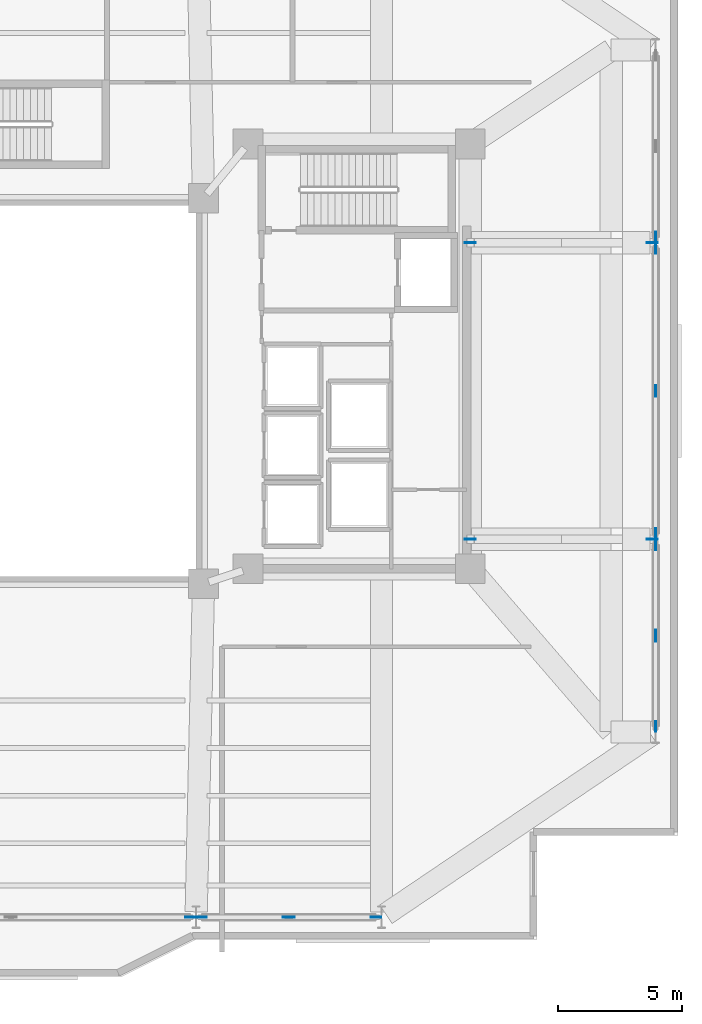
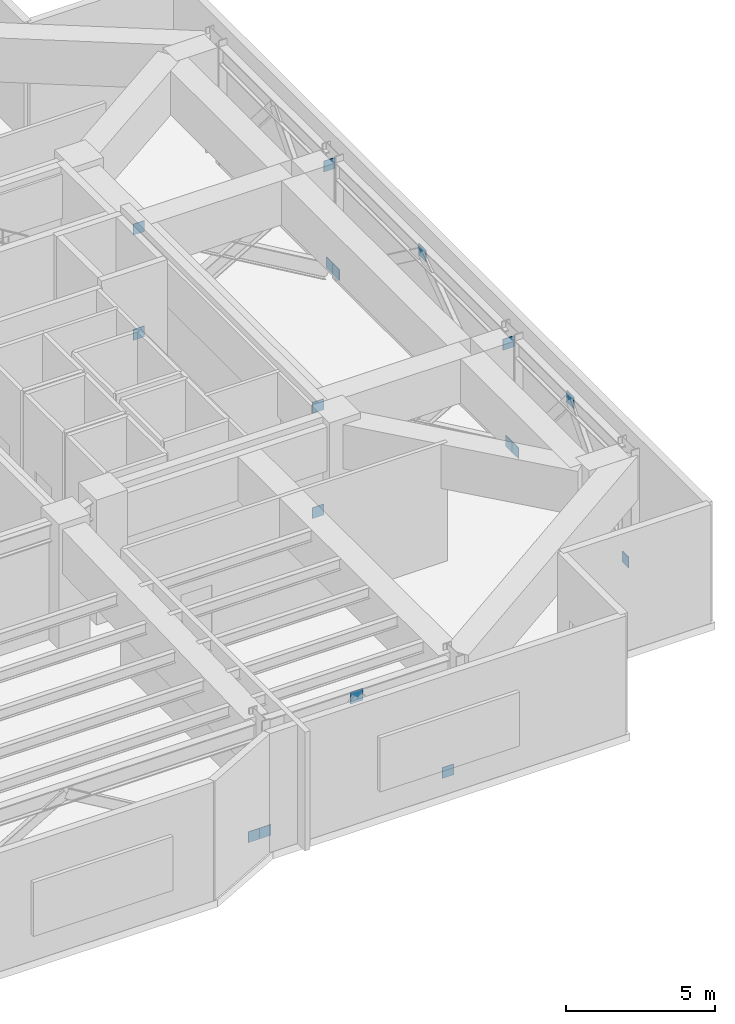
# One storey, part 5 of 13: 17 plates.
"""IFC4 building model written with IfcOpenShell, lengths in metres."""

from ifc_helpers import new_model, si_unit, direction, frame, origin, origin_2d, place, context, subcontext, project, spatial, rectangle, extrude, material, layer, layer_set, type_object, element, save


model = new_model("IFC4")

# Units and contexts
model_context = context("Model", 3, precision=1e-05, world=origin(), true_north=direction((0.0, 1.0)))
body_context = subcontext(model_context, "Body", "Model", "MODEL_VIEW")
ifc_project = project(units=[si_unit("LENGTHUNIT", "METRE"), si_unit("AREAUNIT", "SQUARE_METRE"), si_unit("VOLUMEUNIT", "CUBIC_METRE"), si_unit("PLANEANGLEUNIT", "RADIAN"), si_unit("MASSUNIT", "GRAM", prefix="KILO")], contexts=[model_context])

# Site, building, storey
site_placement = place(None, origin())
site = spatial("IfcSite", under=ifc_project, at=site_placement, CompositionType="ELEMENT")
building_placement = place(site_placement, origin())
building = spatial("IfcBuilding", under=site, at=building_placement, Name="Tarnavaz Court Tower", CompositionType="ELEMENT")
storey_placement = place(building_placement, frame((0.0, 0.0, 127.5)))
storey = spatial("IfcBuildingStorey", under=building, at=storey_placement, Name="L34", CompositionType="ELEMENT", Elevation=127.5)

# Plates
ifc_material = material(Name="Steel S355", Category="steel")
ifc_layer = layer(ifc_material, 0.030029296875)
ifc_layer_set = layer_set([ifc_layer], Name="Steel S355")
plate_type = type_object("IfcPlateType", Name="PL-GUSSET-30", PredefinedType="USERDEFINED", material=ifc_layer_set)
for number, where, z_axis, x_axis, name in (
    (1, (11.25, -21.300048828125, 4.260009765625), (0.0, 0.0, 1.0), (1.0, 0.0, 0.0), "L34 Belt Truss Apex Gusset & End-Cap Plate 06"),
    (2, (26.10009765625, -9.89990234375, 4.260009765625), (0.0, 0.0, 1.0), (0.0, 1.0, 0.0), "L34 Belt Truss Apex Gusset & End-Cap Plate 07"),
    (3, (26.10009765625, 0.0, 4.260009765625), (0.0, 0.0, 1.0), (0.0, 1.0, 0.0), "L34 Belt Truss Apex Gusset & End-Cap Plate 08"),
):
    element("IfcPlate", number, at=place(storey_placement, frame(where, z_axis=z_axis, x_axis=x_axis)), inside=storey, type_object=plate_type, Name=name, ObjectType="GUSSET PLATE", PredefinedType="USERDEFINED", context=body_context, shape_type="SweptSolid", body=[
        extrude(rectangle(XDim=0.47998046875, YDim=0.030029296875, at=origin_2d()), origin(), (0.0, 0.0, 1.0), 0.47998046875),
    ])
for number, where, z_axis, x_axis, name in (
    (4, (7.280029296875, -21.300048828125, -0.02001953125), (0.0, 0.0, 1.0), (1.0, 0.0, 0.0), "L34 Structural Brace & Strut End Gusset Plate 046"),
    (5, (7.719970703125, -21.300048828125, -0.02001953125), (0.0, 0.0, 1.0), (1.0, 0.0, 0.0), "L34 Structural Brace & Strut End Gusset Plate 047"),
    (6, (14.780029296875, -21.300048828125, -0.02001953125), (0.0, 0.0, 1.0), (1.0, 0.0, 0.0), "L34 Structural Brace & Strut End Gusset Plate 048"),
    (7, (26.10009765625, -13.580078125, -0.02001953125), (0.0, 0.0, 1.0), (0.0, 1.0, 0.0), "L34 Structural Brace & Strut End Gusset Plate 049"),
    (8, (26.10009765625, -6.219970703125, -0.02001953125), (0.0, 0.0, 1.0), (0.0, 1.0, 0.0), "L34 Structural Brace & Strut End Gusset Plate 050"),
    (9, (26.10009765625, -5.780029296875, -0.02001953125), (0.0, 0.0, 1.0), (0.0, 1.0, 0.0), "L34 Structural Brace & Strut End Gusset Plate 051"),
    (10, (26.10009765625, 5.780029296875, -0.02001953125), (0.0, 0.0, 1.0), (0.0, 1.0, 0.0), "L34 Structural Brace & Strut End Gusset Plate 052"),
    (11, (26.10009765625, 6.219970703125, -0.02001953125), (0.0, 0.0, 1.0), (0.0, 1.0, 0.0), "L34 Structural Brace & Strut End Gusset Plate 053"),
    (12, (18.60009765625, -6.0, -0.02001953125), (0.0, 0.0, 1.0), (1.0, 0.0, 0.0), "L34 Structural Brace & Strut End Gusset Plate 061"),
    (13, (25.9599609375, -6.0, 4.280029296875), (0.0, 0.0, 1.0), (1.0, 0.0, 0.0), "L34 Structural Brace & Strut End Gusset Plate 062"),
    (14, (18.60009765625, -6.0, 4.280029296875), (0.0, 0.0, 1.0), (1.0, 0.0, 0.0), "L34 Structural Brace & Strut End Gusset Plate 063"),
    (15, (18.60009765625, 6.0, -0.02001953125), (0.0, 0.0, 1.0), (1.0, 0.0, 0.0), "L34 Structural Brace & Strut End Gusset Plate 064"),
    (16, (25.9599609375, 6.0, 4.280029296875), (0.0, 0.0, 1.0), (1.0, 0.0, 0.0), "L34 Structural Brace & Strut End Gusset Plate 065"),
    (17, (18.60009765625, 6.0, 4.280029296875), (0.0, 0.0, 1.0), (1.0, 0.0, 0.0), "L34 Structural Brace & Strut End Gusset Plate 066"),
):
    element("IfcPlate", number, at=place(storey_placement, frame(where, z_axis=z_axis, x_axis=x_axis)), inside=storey, type_object=plate_type, Name=name, ObjectType="GUSSET PLATE", PredefinedType="USERDEFINED", context=body_context, shape_type="SweptSolid", body=[
        extrude(rectangle(XDim=0.43994140625, YDim=0.030029296875, at=origin_2d()), origin(), (0.0, 0.0, 1.0), 0.43994140625),
    ])

save(model, "model.ifc")
